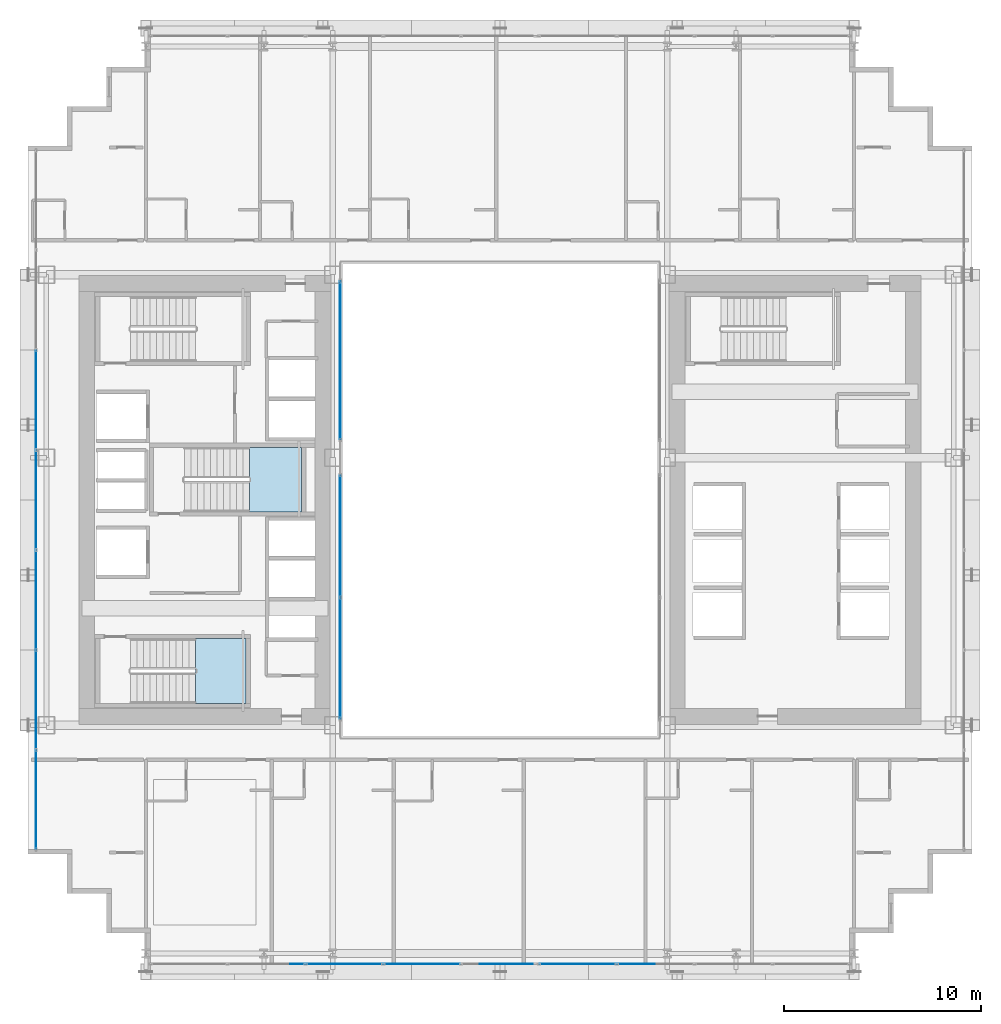
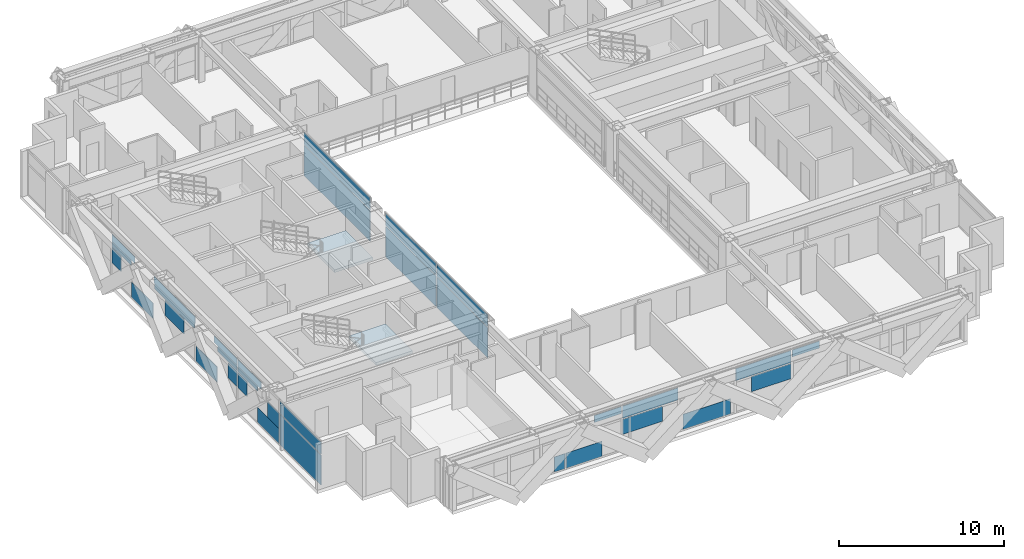
# One storey, part 27 of 41: 33 plates, 2 slabs, 6 elements without a shape of their own.
"""IFC4 building model written with IfcOpenShell, lengths in metres."""

from ifc_helpers import new_model, si_unit, direction, frame, origin, origin_2d, place, context, subcontext, project, spatial, polyline, rectangle, outline, extrude, source, transform, mapped, material, layer, layer_set, type_object, element, aggregate, save


model = new_model("IFC4")

# Units and contexts
model_context = context("Model", 3, precision=1e-05, world=origin(), true_north=direction((0.0, 1.0)))
body_context = subcontext(model_context, "Body", "Model", "MODEL_VIEW")
ifc_project = project(units=[si_unit("LENGTHUNIT", "METRE"), si_unit("AREAUNIT", "SQUARE_METRE"), si_unit("VOLUMEUNIT", "CUBIC_METRE"), si_unit("PLANEANGLEUNIT", "RADIAN"), si_unit("MASSUNIT", "GRAM", prefix="KILO")], contexts=[model_context])

# Site, building, storey
site_placement = place(None, origin())
site = spatial("IfcSite", under=ifc_project, at=site_placement, CompositionType="ELEMENT")
building_placement = place(site_placement, origin())
building = spatial("IfcBuilding", under=site, at=building_placement, Name="Ocotamira Hotel", CompositionType="ELEMENT")
storey_placement = place(building_placement, frame((0.0, 0.0, 52.800048828125)))
storey = spatial("IfcBuildingStorey", under=building, at=storey_placement, Name="L12", CompositionType="ELEMENT", Elevation=52.800048828125)

# Stair, slab
ifc_material_1 = material(Name="Concrete C40/50", Category="concrete")
stair_type = type_object("IfcStairType", Name="ST-CORE-1560", PredefinedType="HALF_TURN_STAIR", material=ifc_material_1)
stair_1_placement = place(storey_placement, origin())
stair_1 = element("IfcStair", 1, at=stair_1_placement, inside=storey, type_object=stair_type, Name="L12 Exit Stair ST-1", PredefinedType="HALF_TURN_STAIR")
ifc_layer_1 = layer(ifc_material_1, 0.199951171875)
ifc_layer_set_1 = layer_set([ifc_layer_1], Name="Concrete C40/50")
slab_type = type_object("IfcSlabType", Name="SLB-LAND-200", PredefinedType="LANDING", material=ifc_layer_set_1)
slab_1_placement = place(storey_placement, frame((0.0, 0.0, 1.599853515625)))
slab_1 = element("IfcSlab", 2, at=slab_1_placement, type_object=slab_type, Name="ST-1 landing 1", PredefinedType="LANDING", context=body_context, shape_type="SweptSolid", body=[
    extrude(outline(polyline([(16.530029296875, 15.669921875), (19.090087890625, 15.669921875), (19.090087890625, 18.949951171875), (16.530029296875, 18.949951171875), (16.530029296875, 15.669921875)])), origin(), (0.0, 0.0, 1.0), 0.2001953125),
])
aggregate(stair_1, [slab_1])

stair_2_placement = place(storey_placement, origin())
stair_2 = element("IfcStair", 3, at=stair_2_placement, inside=storey, type_object=stair_type, Name="L12 Exit Stair ST-3", PredefinedType="HALF_TURN_STAIR")
slab_2_placement = place(storey_placement, frame((0.0, 0.0, 1.599853515625)))
slab_2 = element("IfcSlab", 4, at=slab_2_placement, type_object=slab_type, Name="ST-3 landing 1", PredefinedType="LANDING", context=body_context, shape_type="SweptSolid", body=[
    extrude(outline(polyline([(19.260009765625, 25.39990234375), (21.919921875, 25.39990234375), (21.919921875, 28.679931640625), (19.260009765625, 28.679931640625), (19.260009765625, 25.39990234375)])), origin(), (0.0, 0.0, 1.0), 0.2001953125),
])
aggregate(stair_2, [slab_2])

# Curtain wall, plates
ifc_material_2 = material(Name="Anodised pale-metal aluminium and solar glass", Category="aluminium")
ifc_layer_2 = layer(ifc_material_2, 0.179931640625)
ifc_layer_set_2 = layer_set([ifc_layer_2], Name="Anodised pale-metal aluminium and solar glass")
curtain_wall_type_1 = type_object("IfcCurtainWallType", Name="CW-SYS2-Z1", PredefinedType="NOTDEFINED", material=ifc_layer_set_2)
curtain_wall_1_placement = place(storey_placement, origin())
curtain_wall_1 = element("IfcCurtainWall", 5, at=curtain_wall_1_placement, inside=storey, type_object=curtain_wall_type_1, Name="L12 Curtain Wall CW-2 CW-L12-S1", PredefinedType="NOTDEFINED")
ifc_material_3 = material(Name="Double-silver low-E insulated solar glass", Category="glass")
ifc_layer_3 = layer(ifc_material_3, 0.031982421875)
ifc_layer_set_3 = layer_set([ifc_layer_3], Name="Double-silver low-E insulated solar glass")
plate_type = type_object("IfcPlateType", Name="CWP-VISION-32", PredefinedType="CURTAIN_PANEL", material=ifc_layer_set_3)
shared_shape_1 = source(origin(), body_context, "Body", "SweptSolid", [
    extrude(rectangle(XDim=3.87548828125, YDim=0.031982421875, at=origin_2d()), origin(), (0.0, 0.0, 1.0), 0.887451171875),
])
plate_1_placement = place(storey_placement, frame((28.04443359375, 2.419921875, 2.3876953125), z_axis=(0.0, 0.0, 1.0), x_axis=(1.0, 0.0, 0.0)))
plate_1 = element("IfcPlate", 6, at=plate_1_placement, type_object=plate_type, Name="CW-2 panel 4.2", PredefinedType="CURTAIN_PANEL", context=body_context, shape_type="MappedRepresentation", body=[
    mapped(shared_shape_1, transform((0.0, 0.0, 0.0), scale=1.0)),
])
plate_2_placement = place(storey_placement, frame((35.95556640625, 2.419921875, 2.3876953125), z_axis=(0.0, 0.0, 1.0), x_axis=(1.0, 0.0, 0.0)))
plate_2 = element("IfcPlate", 7, at=plate_2_placement, type_object=plate_type, Name="CW-2 panel 6.2", PredefinedType="CURTAIN_PANEL", context=body_context, shape_type="MappedRepresentation", body=[
    mapped(shared_shape_1, transform((0.0, 0.0, 0.0), scale=1.0)),
])

curtain_wall_2_placement = place(storey_placement, origin())
curtain_wall_2 = element("IfcCurtainWall", 8, at=curtain_wall_2_placement, inside=storey, type_object=curtain_wall_type_1, Name="L12 Curtain Wall CW-2 CW-L12-W", PredefinedType="NOTDEFINED")
shared_shape_2 = source(origin(), body_context, "Body", "SweptSolid", [
    extrude(rectangle(XDim=4.9658203125, YDim=0.031982421875, at=origin_2d()), origin(), (0.0, 0.0, 1.0), 2.237548828125),
])
plate_3_placement = place(storey_placement, frame((8.419921875, 10.762939453125, 0.07470703125), z_axis=(0.0, 0.0, 1.0), x_axis=(0.0, 1.0, 0.0)))
plate_3 = element("IfcPlate", 9, at=plate_3_placement, type_object=plate_type, Name="CW-2 panel 1.1", PredefinedType="CURTAIN_PANEL", context=body_context, shape_type="MappedRepresentation", body=[
    mapped(shared_shape_2, transform((0.0, 0.0, 0.0), scale=1.0)),
])
shared_shape_3 = source(origin(), body_context, "Body", "SweptSolid", [
    extrude(rectangle(XDim=4.9658203125, YDim=0.031982421875, at=origin_2d()), origin(), (0.0, 0.0, 1.0), 0.887451171875),
])
plate_4_placement = place(storey_placement, frame((8.419921875, 10.762939453125, 2.3876953125), z_axis=(0.0, 0.0, 1.0), x_axis=(0.0, 1.0, 0.0)))
plate_4 = element("IfcPlate", 10, at=plate_4_placement, type_object=plate_type, Name="CW-2 panel 1.2", PredefinedType="CURTAIN_PANEL", context=body_context, shape_type="MappedRepresentation", body=[
    mapped(shared_shape_3, transform((0.0, 0.0, 0.0), scale=1.0)),
])
shared_shape_4 = source(origin(), body_context, "Body", "SweptSolid", [
    extrude(rectangle(XDim=2.27978515625, YDim=0.031982421875, at=origin_2d()), origin(), (0.0, 0.0, 1.0), 1.11865234375),
])
plate_5_placement = place(storey_placement, frame((8.419921875, 26.0, 1.193603515625), z_axis=(0.0, 0.0, 1.0), x_axis=(0.0, 1.0, 0.0)))
plate_5 = element("IfcPlate", 11, at=plate_5_placement, type_object=plate_type, Name="CW-2 panel 4.1.1", PredefinedType="CURTAIN_PANEL", context=body_context, shape_type="MappedRepresentation", body=[
    mapped(shared_shape_4, transform((0.0, 0.0, 0.0), scale=1.0)),
])

# Plate
shared_shape_5 = source(origin(), body_context, "Body", "SweptSolid", [
    extrude(rectangle(XDim=0.733642578125, YDim=0.031982421875, at=origin_2d()), origin(), (0.0, 0.0, 1.0), 1.11865234375),
])
plate_6_placement = place(storey_placement, frame((21.704345703125, 2.419921875, 0.074951171875), z_axis=(0.0, 0.0, 1.0), x_axis=(1.0, 0.0, 0.0)))
plate_6 = element("IfcPlate", 12, at=plate_6_placement, type_object=plate_type, Name="CW-2 panel 2.1.2", PredefinedType="CURTAIN_PANEL", context=body_context, shape_type="MappedRepresentation", body=[
    mapped(shared_shape_5, transform((0.0, 0.0, 0.0), scale=1.0)),
])

shared_shape_6 = source(origin(), body_context, "Body", "SweptSolid", [
    extrude(rectangle(XDim=2.51123046875, YDim=0.031982421875, at=origin_2d()), origin(), (0.0, 0.0, 1.0), 1.11865234375),
])
plate_7_placement = place(storey_placement, frame((23.40673828125, 2.419921875, 0.074951171875), z_axis=(0.0, 0.0, 1.0), x_axis=(1.0, 0.0, 0.0)))
plate_7 = element("IfcPlate", 13, at=plate_7_placement, type_object=plate_type, Name="CW-2 panel 3.1.1", PredefinedType="CURTAIN_PANEL", context=body_context, shape_type="MappedRepresentation", body=[
    mapped(shared_shape_6, transform((0.0, 0.0, 0.0), scale=1.0)),
])

shared_shape_7 = source(origin(), body_context, "Body", "SweptSolid", [
    extrude(rectangle(XDim=1.88671875, YDim=0.031982421875, at=origin_2d()), origin(), (0.0, 0.0, 1.0), 0.5107421875),
])
plate_8_placement = place(storey_placement, frame((25.08349609375, 2.419921875, 2.76416015625), z_axis=(0.0, 0.0, 1.0), x_axis=(1.0, 0.0, 0.0)))
plate_8 = element("IfcPlate", 14, at=plate_8_placement, type_object=plate_type, Name="CW-2 panel 3.2.1", PredefinedType="CURTAIN_PANEL", context=body_context, shape_type="MappedRepresentation", body=[
    mapped(shared_shape_7, transform((0.0, 0.0, 0.0), scale=1.0)),
])

plate_9_placement = place(storey_placement, frame((38.91650390625, 2.419921875, 2.76416015625), z_axis=(0.0, 0.0, 1.0), x_axis=(1.0, 0.0, 0.0)))
plate_9 = element("IfcPlate", 15, at=plate_9_placement, type_object=plate_type, Name="CW-2 panel 7.2.1", PredefinedType="CURTAIN_PANEL", context=body_context, shape_type="MappedRepresentation", body=[
    mapped(shared_shape_7, transform((0.0, 0.0, 0.0), scale=1.0)),
])

shared_shape_8 = source(origin(), body_context, "Body", "SweptSolid", [
    extrude(rectangle(XDim=2.790283203125, YDim=0.031982421875, at=origin_2d()), origin(), (0.0, 0.0, 1.0), 1.11865234375),
])
plate_10_placement = place(storey_placement, frame((27.501708984375, 2.419921875, 1.193603515625), z_axis=(0.0, 0.0, 1.0), x_axis=(1.0, 0.0, 0.0)))
plate_10 = element("IfcPlate", 16, at=plate_10_placement, type_object=plate_type, Name="CW-2 panel 4.1.1", PredefinedType="CURTAIN_PANEL", context=body_context, shape_type="MappedRepresentation", body=[
    mapped(shared_shape_8, transform((0.0, 0.0, 0.0), scale=1.0)),
])

plate_11_placement = place(storey_placement, frame((36.498291015625, 2.419921875, 1.193603515625), z_axis=(0.0, 0.0, 1.0), x_axis=(1.0, 0.0, 0.0)))
plate_11 = element("IfcPlate", 17, at=plate_11_placement, type_object=plate_type, Name="CW-2 panel 6.1.1", PredefinedType="CURTAIN_PANEL", context=body_context, shape_type="MappedRepresentation", body=[
    mapped(shared_shape_8, transform((0.0, 0.0, 0.0), scale=1.0)),
])

shared_shape_9 = source(origin(), body_context, "Body", "SweptSolid", [
    extrude(rectangle(XDim=3.324951171875, YDim=0.031982421875, at=origin_2d()), origin(), (0.0, 0.0, 1.0), 1.11865234375),
])
plate_12_placement = place(storey_placement, frame((32.0, 2.419921875, 0.074951171875), z_axis=(0.0, 0.0, 1.0), x_axis=(1.0, 0.0, 0.0)))
plate_12 = element("IfcPlate", 18, at=plate_12_placement, type_object=plate_type, Name="CW-2 panel 5.1.1", PredefinedType="CURTAIN_PANEL", context=body_context, shape_type="MappedRepresentation", body=[
    mapped(shared_shape_9, transform((0.0, 0.0, 0.0), scale=1.0)),
])

aggregate(curtain_wall_1, [plate_6, plate_7, plate_8, plate_10, plate_1, plate_12, plate_11, plate_2, plate_9])

shared_shape_10 = source(origin(), body_context, "Body", "SweptSolid", [
    extrude(rectangle(XDim=2.58935546875, YDim=0.031982421875, at=origin_2d()), origin(), (0.0, 0.0, 1.0), 1.11865234375),
])
plate_13_placement = place(storey_placement, frame((8.419921875, 14.620361328125, 0.074951171875), z_axis=(0.0, 0.0, 1.0), x_axis=(0.0, 1.0, 0.0)))
plate_13 = element("IfcPlate", 19, at=plate_13_placement, type_object=plate_type, Name="CW-2 panel 2.1.1", PredefinedType="CURTAIN_PANEL", context=body_context, shape_type="MappedRepresentation", body=[
    mapped(shared_shape_10, transform((0.0, 0.0, 0.0), scale=1.0)),
])

shared_shape_11 = source(origin(), body_context, "Body", "SweptSolid", [
    extrude(rectangle(XDim=1.4033203125, YDim=0.031982421875, at=origin_2d()), origin(), (0.0, 0.0, 1.0), 1.11865234375),
])
plate_14_placement = place(storey_placement, frame((8.419921875, 14.02734375, 1.193603515625), z_axis=(0.0, 0.0, 1.0), x_axis=(0.0, 1.0, 0.0)))
plate_14 = element("IfcPlate", 20, at=plate_14_placement, type_object=plate_type, Name="CW-2 panel 2.1.2", PredefinedType="CURTAIN_PANEL", context=body_context, shape_type="MappedRepresentation", body=[
    mapped(shared_shape_11, transform((0.0, 0.0, 0.0), scale=1.0)),
])

shared_shape_12 = source(origin(), body_context, "Body", "SweptSolid", [
    extrude(rectangle(XDim=1.104736328125, YDim=0.031982421875, at=origin_2d()), origin(), (0.0, 0.0, 1.0), 1.11865234375),
])
plate_15_placement = place(storey_placement, frame((8.419921875, 17.779052734375, 1.193603515625), z_axis=(0.0, 0.0, 1.0), x_axis=(0.0, 1.0, 0.0)))
plate_15 = element("IfcPlate", 21, at=plate_15_placement, type_object=plate_type, Name="CW-2 panel 2.1.3", PredefinedType="CURTAIN_PANEL", context=body_context, shape_type="MappedRepresentation", body=[
    mapped(shared_shape_12, transform((0.0, 0.0, 0.0), scale=1.0)),
])

shared_shape_13 = source(origin(), body_context, "Body", "SweptSolid", [
    extrude(rectangle(XDim=2.796630859375, YDim=0.031982421875, at=origin_2d()), origin(), (0.0, 0.0, 1.0), 0.485107421875),
])
plate_16_placement = place(storey_placement, frame((8.419921875, 16.93310546875, 2.7900390625), z_axis=(0.0, 0.0, 1.0), x_axis=(0.0, 1.0, 0.0)))
plate_16 = element("IfcPlate", 22, at=plate_16_placement, type_object=plate_type, Name="CW-2 panel 2.2.1", PredefinedType="CURTAIN_PANEL", context=body_context, shape_type="MappedRepresentation", body=[
    mapped(shared_shape_13, transform((0.0, 0.0, 0.0), scale=1.0)),
])

shared_shape_14 = source(origin(), body_context, "Body", "SweptSolid", [
    extrude(rectangle(XDim=2.3701171875, YDim=0.031982421875, at=origin_2d()), origin(), (0.0, 0.0, 1.0), 0.367919921875),
])
plate_17_placement = place(storey_placement, frame((8.419921875, 17.146240234375, 2.3876953125), z_axis=(0.0, 0.0, 1.0), x_axis=(0.0, 1.0, 0.0)))
plate_17 = element("IfcPlate", 23, at=plate_17_placement, type_object=plate_type, Name="CW-2 panel 2.2.2", PredefinedType="CURTAIN_PANEL", context=body_context, shape_type="MappedRepresentation", body=[
    mapped(shared_shape_14, transform((0.0, 0.0, 0.0), scale=1.0)),
])

shared_shape_15 = source(origin(), body_context, "Body", "SweptSolid", [
    extrude(rectangle(XDim=1.094970703125, YDim=0.031982421875, at=origin_2d()), origin(), (0.0, 0.0, 1.0), 1.11865234375),
])
plate_18_placement = place(storey_placement, frame((8.419921875, 18.958984375, 1.193603515625), z_axis=(0.0, 0.0, 1.0), x_axis=(0.0, 1.0, 0.0)))
plate_18 = element("IfcPlate", 24, at=plate_18_placement, type_object=plate_type, Name="CW-2 panel 3.1.1", PredefinedType="CURTAIN_PANEL", context=body_context, shape_type="MappedRepresentation", body=[
    mapped(shared_shape_15, transform((0.0, 0.0, 0.0), scale=1.0)),
])

plate_19_placement = place(storey_placement, frame((8.419921875, 33.041015625, 1.193603515625), z_axis=(0.0, 0.0, 1.0), x_axis=(0.0, 1.0, 0.0)))
plate_19 = element("IfcPlate", 25, at=plate_19_placement, type_object=plate_type, Name="CW-2 panel 5.1.2", PredefinedType="CURTAIN_PANEL", context=body_context, shape_type="MappedRepresentation", body=[
    mapped(shared_shape_15, transform((0.0, 0.0, 0.0), scale=1.0)),
])

shared_shape_16 = source(origin(), body_context, "Body", "SweptSolid", [
    extrude(rectangle(XDim=2.59912109375, YDim=0.031982421875, at=origin_2d()), origin(), (0.0, 0.0, 1.0), 1.11865234375),
])
plate_20_placement = place(storey_placement, frame((8.419921875, 22.11767578125, 0.074951171875), z_axis=(0.0, 0.0, 1.0), x_axis=(0.0, 1.0, 0.0)))
plate_20 = element("IfcPlate", 26, at=plate_20_placement, type_object=plate_type, Name="CW-2 panel 3.1.2", PredefinedType="CURTAIN_PANEL", context=body_context, shape_type="MappedRepresentation", body=[
    mapped(shared_shape_16, transform((0.0, 0.0, 0.0), scale=1.0)),
])

plate_21_placement = place(storey_placement, frame((8.419921875, 29.88232421875, 0.074951171875), z_axis=(0.0, 0.0, 1.0), x_axis=(0.0, 1.0, 0.0)))
plate_21 = element("IfcPlate", 27, at=plate_21_placement, type_object=plate_type, Name="CW-2 panel 5.1.1", PredefinedType="CURTAIN_PANEL", context=body_context, shape_type="MappedRepresentation", body=[
    mapped(shared_shape_16, transform((0.0, 0.0, 0.0), scale=1.0)),
])

shared_shape_17 = source(origin(), body_context, "Body", "SweptSolid", [
    extrude(rectangle(XDim=2.360595703125, YDim=0.031982421875, at=origin_2d()), origin(), (0.0, 0.0, 1.0), 0.367919921875),
])
plate_22_placement = place(storey_placement, frame((8.419921875, 19.591796875, 2.3876953125), z_axis=(0.0, 0.0, 1.0), x_axis=(0.0, 1.0, 0.0)))
plate_22 = element("IfcPlate", 28, at=plate_22_placement, type_object=plate_type, Name="CW-2 panel 3.2.1", PredefinedType="CURTAIN_PANEL", context=body_context, shape_type="MappedRepresentation", body=[
    mapped(shared_shape_17, transform((0.0, 0.0, 0.0), scale=1.0)),
])

plate_23_placement = place(storey_placement, frame((8.419921875, 32.408203125, 2.3876953125), z_axis=(0.0, 0.0, 1.0), x_axis=(0.0, 1.0, 0.0)))
plate_23 = element("IfcPlate", 29, at=plate_23_placement, type_object=plate_type, Name="CW-2 panel 5.2.2", PredefinedType="CURTAIN_PANEL", context=body_context, shape_type="MappedRepresentation", body=[
    mapped(shared_shape_17, transform((0.0, 0.0, 0.0), scale=1.0)),
])

shared_shape_18 = source(origin(), body_context, "Body", "SweptSolid", [
    extrude(rectangle(XDim=2.787109375, YDim=0.031982421875, at=origin_2d()), origin(), (0.0, 0.0, 1.0), 0.485107421875),
])
plate_24_placement = place(storey_placement, frame((8.419921875, 19.804931640625, 2.7900390625), z_axis=(0.0, 0.0, 1.0), x_axis=(0.0, 1.0, 0.0)))
plate_24 = element("IfcPlate", 30, at=plate_24_placement, type_object=plate_type, Name="CW-2 panel 3.2.2", PredefinedType="CURTAIN_PANEL", context=body_context, shape_type="MappedRepresentation", body=[
    mapped(shared_shape_18, transform((0.0, 0.0, 0.0), scale=1.0)),
])

plate_25_placement = place(storey_placement, frame((8.419921875, 32.195068359375, 2.7900390625), z_axis=(0.0, 0.0, 1.0), x_axis=(0.0, 1.0, 0.0)))
plate_25 = element("IfcPlate", 31, at=plate_25_placement, type_object=plate_type, Name="CW-2 panel 5.2.1", PredefinedType="CURTAIN_PANEL", context=body_context, shape_type="MappedRepresentation", body=[
    mapped(shared_shape_18, transform((0.0, 0.0, 0.0), scale=1.0)),
])

shared_shape_19 = source(origin(), body_context, "Body", "SweptSolid", [
    extrude(rectangle(XDim=5.005615234375, YDim=0.031982421875, at=origin_2d()), origin(), (0.0, 0.0, 1.0), 0.485107421875),
])
plate_26_placement = place(storey_placement, frame((8.419921875, 26.0, 2.7900390625), z_axis=(0.0, 0.0, 1.0), x_axis=(0.0, 1.0, 0.0)))
plate_26 = element("IfcPlate", 32, at=plate_26_placement, type_object=plate_type, Name="CW-2 panel 4.2.1", PredefinedType="CURTAIN_PANEL", context=body_context, shape_type="MappedRepresentation", body=[
    mapped(shared_shape_19, transform((0.0, 0.0, 0.0), scale=1.0)),
])

shared_shape_20 = source(origin(), body_context, "Body", "SweptSolid", [
    extrude(rectangle(XDim=4.81103515625, YDim=0.031982421875, at=origin_2d()), origin(), (0.0, 0.0, 1.0), 0.40234375),
])
plate_27_placement = place(storey_placement, frame((8.419921875, 26.0, 2.387451171875), z_axis=(0.0, 0.0, 1.0), x_axis=(0.0, 1.0, 0.0)))
plate_27 = element("IfcPlate", 33, at=plate_27_placement, type_object=plate_type, Name="CW-2 panel 4.2.2", PredefinedType="CURTAIN_PANEL", context=body_context, shape_type="MappedRepresentation", body=[
    mapped(shared_shape_20, transform((0.0, 0.0, 0.0), scale=1.0)),
])

aggregate(curtain_wall_2, [plate_3, plate_4, plate_13, plate_14, plate_15, plate_16, plate_17, plate_18, plate_20, plate_22, plate_24, plate_5, plate_26, plate_27, plate_21, plate_19, plate_25, plate_23])

# Curtain wall, plates
ifc_layer_4 = layer(ifc_material_2, 0.159912109375)
ifc_layer_set_4 = layer_set([ifc_layer_4], Name="Anodised pale-metal aluminium and solar glass")
curtain_wall_type_2 = type_object("IfcCurtainWallType", Name="CW-SYS6-ATR", PredefinedType="NOTDEFINED", material=ifc_layer_set_4)
curtain_wall_3_placement = place(storey_placement, origin())
curtain_wall_3 = element("IfcCurtainWall", 34, at=curtain_wall_3_placement, inside=storey, type_object=curtain_wall_type_2, Name="L12 Curtain Wall CW-6 CW-L12-ATRW1", PredefinedType="NOTDEFINED")
shared_shape_21 = source(origin(), body_context, "Body", "SweptSolid", [
    extrude(rectangle(XDim=6.1298828125, YDim=0.031982421875, at=origin_2d()), origin(), (0.0, 0.0, 1.0), 2.237548828125),
])
plate_28_placement = place(storey_placement, frame((23.8798828125, 17.945068359375, 0.07470703125), z_axis=(0.0, 0.0, 1.0), x_axis=(0.0, 1.0, 0.0)))
plate_28 = element("IfcPlate", 35, at=plate_28_placement, type_object=plate_type, Name="CW-6 panel 1.1", PredefinedType="CURTAIN_PANEL", context=body_context, shape_type="MappedRepresentation", body=[
    mapped(shared_shape_21, transform((0.0, 0.0, 0.0), scale=1.0)),
])
plate_29_placement = place(storey_placement, frame((23.8798828125, 24.155029296875, 0.07470703125), z_axis=(0.0, 0.0, 1.0), x_axis=(0.0, 1.0, 0.0)))
plate_29 = element("IfcPlate", 36, at=plate_29_placement, type_object=plate_type, Name="CW-6 panel 2.1", PredefinedType="CURTAIN_PANEL", context=body_context, shape_type="MappedRepresentation", body=[
    mapped(shared_shape_21, transform((0.0, 0.0, 0.0), scale=1.0)),
])
shared_shape_22 = source(origin(), body_context, "Body", "SweptSolid", [
    extrude(rectangle(XDim=6.1298828125, YDim=0.031982421875, at=origin_2d()), origin(), (0.0, 0.0, 1.0), 0.887451171875),
])
plate_30_placement = place(storey_placement, frame((23.8798828125, 17.945068359375, 2.3876953125), z_axis=(0.0, 0.0, 1.0), x_axis=(0.0, 1.0, 0.0)))
plate_30 = element("IfcPlate", 37, at=plate_30_placement, type_object=plate_type, Name="CW-6 panel 1.2", PredefinedType="CURTAIN_PANEL", context=body_context, shape_type="MappedRepresentation", body=[
    mapped(shared_shape_22, transform((0.0, 0.0, 0.0), scale=1.0)),
])
plate_31_placement = place(storey_placement, frame((23.8798828125, 24.155029296875, 2.3876953125), z_axis=(0.0, 0.0, 1.0), x_axis=(0.0, 1.0, 0.0)))
plate_31 = element("IfcPlate", 38, at=plate_31_placement, type_object=plate_type, Name="CW-6 panel 2.2", PredefinedType="CURTAIN_PANEL", context=body_context, shape_type="MappedRepresentation", body=[
    mapped(shared_shape_22, transform((0.0, 0.0, 0.0), scale=1.0)),
])
aggregate(curtain_wall_3, [plate_28, plate_30, plate_29, plate_31])

curtain_wall_4_placement = place(storey_placement, origin())
curtain_wall_4 = element("IfcCurtainWall", 39, at=curtain_wall_4_placement, inside=storey, type_object=curtain_wall_type_2, Name="L12 Curtain Wall CW-6 CW-L12-ATRW2", PredefinedType="NOTDEFINED")
shared_shape_23 = source(origin(), body_context, "Body", "SweptSolid", [
    extrude(rectangle(XDim=8.0400390625, YDim=0.031982421875, at=origin_2d()), origin(), (0.0, 0.0, 1.0), 2.237548828125),
])
plate_32_placement = place(storey_placement, frame((23.8798828125, 33.10009765625, 0.07470703125), z_axis=(0.0, 0.0, 1.0), x_axis=(0.0, 1.0, 0.0)))
plate_32 = element("IfcPlate", 40, at=plate_32_placement, type_object=plate_type, Name="CW-6 panel 1.1", PredefinedType="CURTAIN_PANEL", context=body_context, shape_type="MappedRepresentation", body=[
    mapped(shared_shape_23, transform((0.0, 0.0, 0.0), scale=1.0)),
])
shared_shape_24 = source(origin(), body_context, "Body", "SweptSolid", [
    extrude(rectangle(XDim=8.0400390625, YDim=0.031982421875, at=origin_2d()), origin(), (0.0, 0.0, 1.0), 0.887451171875),
])
plate_33_placement = place(storey_placement, frame((23.8798828125, 33.10009765625, 2.3876953125), z_axis=(0.0, 0.0, 1.0), x_axis=(0.0, 1.0, 0.0)))
plate_33 = element("IfcPlate", 41, at=plate_33_placement, type_object=plate_type, Name="CW-6 panel 1.2", PredefinedType="CURTAIN_PANEL", context=body_context, shape_type="MappedRepresentation", body=[
    mapped(shared_shape_24, transform((0.0, 0.0, 0.0), scale=1.0)),
])
aggregate(curtain_wall_4, [plate_32, plate_33])

save(model, "model.ifc")
